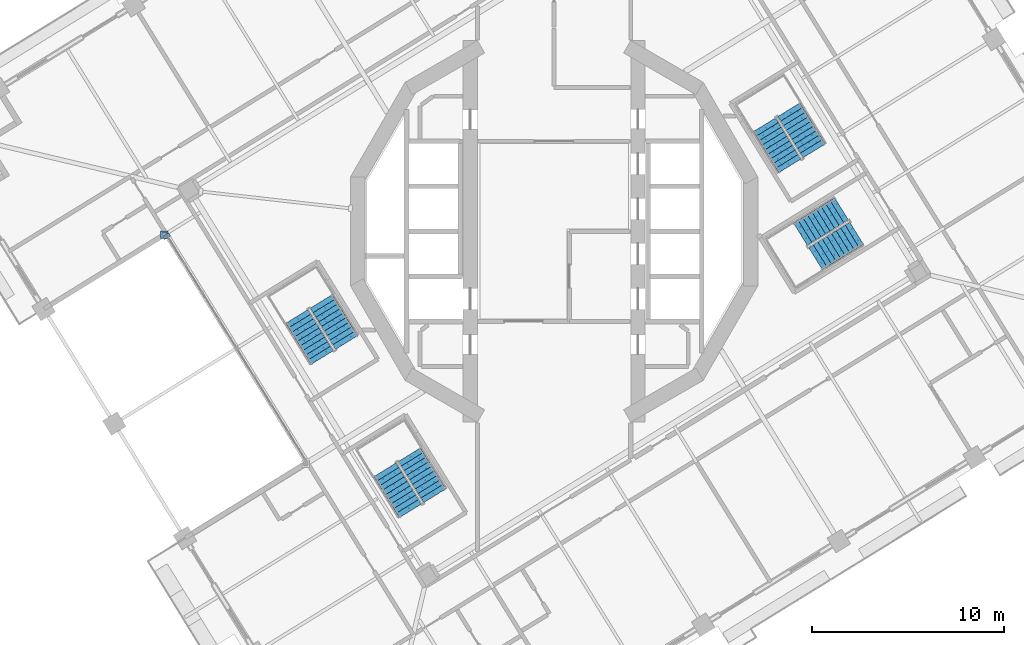
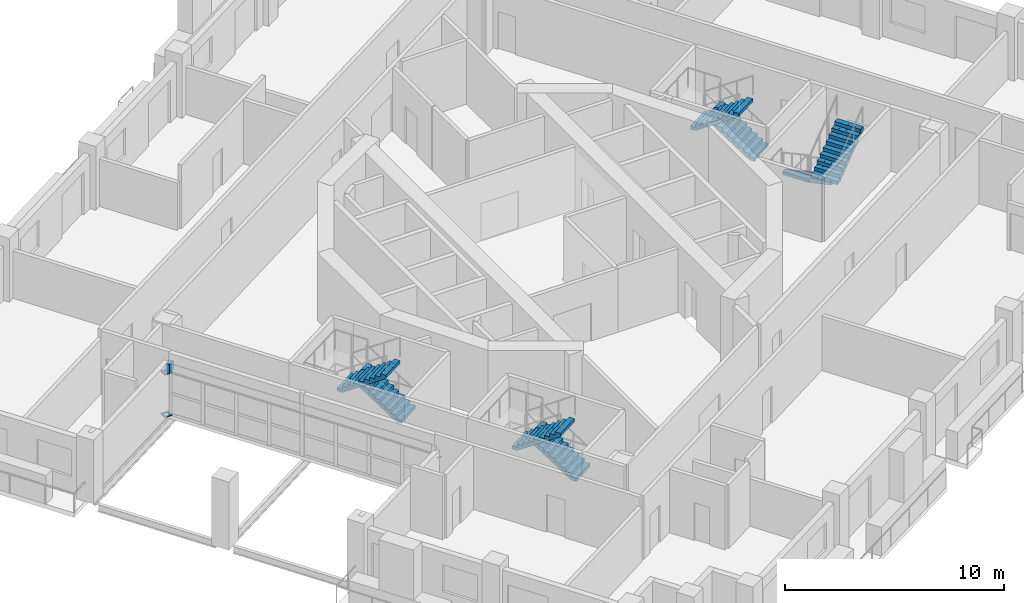
# One storey, part 11 of 20: 8 stair flights, 3 discrete accessories, 4 elements without a shape of their own.
"""IFC4 building model written with IfcOpenShell, lengths in metres."""

from ifc_helpers import new_model, si_unit, direction, frame, origin, place, context, subcontext, project, spatial, polyline, outline, extrude, material, layer, layer_set, type_object, element, aggregate, save


model = new_model("IFC4")

# Units and contexts
model_context = context("Model", 3, precision=1e-05, world=origin(), true_north=direction((0.0, 1.0)))
body_context = subcontext(model_context, "Body", "Model", "MODEL_VIEW")
ifc_project = project(units=[si_unit("LENGTHUNIT", "METRE"), si_unit("AREAUNIT", "SQUARE_METRE"), si_unit("VOLUMEUNIT", "CUBIC_METRE"), si_unit("PLANEANGLEUNIT", "RADIAN"), si_unit("MASSUNIT", "GRAM", prefix="KILO")], contexts=[model_context])

# Site, building, storey
site_placement = place(None, origin())
site = spatial("IfcSite", under=ifc_project, at=site_placement, CompositionType="ELEMENT")
building_placement = place(site_placement, origin())
building = spatial("IfcBuilding", under=site, at=building_placement, Name="Cantera Rosa Tower", CompositionType="ELEMENT")
storey_placement = place(building_placement, frame((0.0, 0.0, 151.39990234375)))
storey = spatial("IfcBuildingStorey", under=building, at=storey_placement, Name="L32", CompositionType="ELEMENT", Elevation=151.39990234375)

# Stair, stair flights
ifc_material_1 = material(Name="Concrete C35/45", Category="concrete")
stair_type = type_object("IfcStairType", Name="EXIT STAIR 1350 DOGLEG", PredefinedType="HALF_TURN_STAIR", material=ifc_material_1)
stair_1_placement = place(storey_placement, origin())
stair_1 = element("IfcStair", 1, at=stair_1_placement, inside=storey, type_object=stair_type, Name="L32 ST-31", PredefinedType="HALF_TURN_STAIR")
ifc_material_2 = material(Name="Concrete C35/45", Category="concrete")
stair_flight_type = type_object("IfcStairFlightType", Name="STAIR FLIGHT 1350 R20x190", PredefinedType="STRAIGHT", material=ifc_material_2)
stair_flight_1_placement = place(storey_placement, frame((13.5732421875, 4.2021484375, 0.0), z_axis=(0.0, 0.0, 1.0), x_axis=(-0.524976585286, 0.851116669383, 0.0)))
stair_flight_1 = element("IfcStairFlight", 2, at=stair_flight_1_placement, type_object=stair_flight_type, Name="ST-31 flight 1", NumberOfRisers=10, NumberOfTreads=9, PredefinedType="STRAIGHT", RiserHeight=0.19, TreadLength=0.28, context=body_context, shape_type="SweptSolid", body=[
    extrude(outline(polyline([(0.0, 0.0), (0.0, 0.18994140625), (0.280029296875, 0.18994140625), (0.280029296875, 0.3798828125), (0.56005859375, 0.3798828125), (0.56005859375, 0.570068359375), (0.840087890625, 0.570068359375), (0.840087890625, 0.760009765625), (1.1201171875, 0.760009765625), (1.1201171875, 0.949951171875), (1.39990234375, 0.949951171875), (1.39990234375, 1.139892578125), (1.679931640625, 1.139892578125), (1.679931640625, 1.330078125), (1.9599609375, 1.330078125), (1.9599609375, 1.52001953125), (2.239990234375, 1.52001953125), (2.239990234375, 1.7099609375), (2.52001953125, 1.7099609375), (2.52001953125, 1.89990234375), (2.52001953125, 1.52880859375), (0.266845703125, 0.0), (0.0, 0.0)])), frame((0.0, 0.675048828125, 0.0), z_axis=(0.0, -1.0, 0.0), x_axis=(1.0, 0.0, 0.0)), (0.0, 0.0, 1.0), 0.3359375),
    extrude(outline(polyline([(0.0, 0.0), (0.0, 0.18994140625), (0.280029296875, 0.18994140625), (0.280029296875, 0.3798828125), (0.56005859375, 0.3798828125), (0.56005859375, 0.570068359375), (0.840087890625, 0.570068359375), (0.840087890625, 0.760009765625), (1.1201171875, 0.760009765625), (1.1201171875, 0.949951171875), (1.39990234375, 0.949951171875), (1.39990234375, 1.139892578125), (1.679931640625, 1.139892578125), (1.679931640625, 1.330078125), (1.9599609375, 1.330078125), (1.9599609375, 1.52001953125), (2.239990234375, 1.52001953125), (2.239990234375, 1.7099609375), (2.52001953125, 1.7099609375), (2.52001953125, 1.89990234375), (2.52001953125, 1.52880859375), (0.266845703125, 0.0), (0.0, 0.0)])), frame((0.0, 0.337158203125, 0.0), z_axis=(0.0, -1.0, 0.0), x_axis=(1.0, 0.0, 0.0)), (0.0, 0.0, 1.0), 0.3359375),
    extrude(outline(polyline([(0.0, 0.0), (0.0, 0.18994140625), (0.280029296875, 0.18994140625), (0.280029296875, 0.3798828125), (0.56005859375, 0.3798828125), (0.56005859375, 0.570068359375), (0.840087890625, 0.570068359375), (0.840087890625, 0.760009765625), (1.1201171875, 0.760009765625), (1.1201171875, 0.949951171875), (1.39990234375, 0.949951171875), (1.39990234375, 1.139892578125), (1.679931640625, 1.139892578125), (1.679931640625, 1.330078125), (1.9599609375, 1.330078125), (1.9599609375, 1.52001953125), (2.239990234375, 1.52001953125), (2.239990234375, 1.7099609375), (2.52001953125, 1.7099609375), (2.52001953125, 1.89990234375), (2.52001953125, 1.52880859375), (0.266845703125, 0.0), (0.0, 0.0)])), frame((0.0, -0.000732421875, 0.0), z_axis=(0.0, -1.0, 0.0), x_axis=(1.0, 0.0, 0.0)), (0.0, 0.0, 1.0), 0.3359375),
    extrude(outline(polyline([(0.0, 0.0), (0.0, 0.18994140625), (0.280029296875, 0.18994140625), (0.280029296875, 0.3798828125), (0.56005859375, 0.3798828125), (0.56005859375, 0.570068359375), (0.840087890625, 0.570068359375), (0.840087890625, 0.760009765625), (1.1201171875, 0.760009765625), (1.1201171875, 0.949951171875), (1.39990234375, 0.949951171875), (1.39990234375, 1.139892578125), (1.679931640625, 1.139892578125), (1.679931640625, 1.330078125), (1.9599609375, 1.330078125), (1.9599609375, 1.52001953125), (2.239990234375, 1.52001953125), (2.239990234375, 1.7099609375), (2.52001953125, 1.7099609375), (2.52001953125, 1.89990234375), (2.52001953125, 1.52880859375), (0.266845703125, 0.0), (0.0, 0.0)])), frame((0.0, -0.338623046875, 0.0), z_axis=(0.0, -1.0, 0.0), x_axis=(1.0, 0.0, 0.0)), (0.0, 0.0, 1.0), 0.3359375),
])
stair_flight_2_placement = place(storey_placement, frame((10.9736328125, 5.5595703125, 1.900146484375), z_axis=(0.0, 0.0, 1.0), x_axis=(0.524976585286, -0.851116669383, 0.0)))
stair_flight_2 = element("IfcStairFlight", 3, at=stair_flight_2_placement, type_object=stair_flight_type, Name="ST-31 flight 2", NumberOfRisers=10, NumberOfTreads=9, PredefinedType="STRAIGHT", RiserHeight=0.19, TreadLength=0.28, context=body_context, shape_type="SweptSolid", body=[
    extrude(outline(polyline([(0.0, 0.0), (0.0, 0.18994140625), (0.280029296875, 0.18994140625), (0.280029296875, 0.3798828125), (0.56005859375, 0.3798828125), (0.56005859375, 0.570068359375), (0.840087890625, 0.570068359375), (0.840087890625, 0.760009765625), (1.1201171875, 0.760009765625), (1.1201171875, 0.949951171875), (1.39990234375, 0.949951171875), (1.39990234375, 1.139892578125), (1.679931640625, 1.139892578125), (1.679931640625, 1.330078125), (1.9599609375, 1.330078125), (1.9599609375, 1.52001953125), (2.239990234375, 1.52001953125), (2.239990234375, 1.7099609375), (2.52001953125, 1.7099609375), (2.52001953125, 1.89990234375), (2.52001953125, 1.52880859375), (0.266845703125, 0.0), (0.0, 0.0)])), frame((0.0, 0.675048828125, 0.0), z_axis=(0.0, -1.0, 0.0), x_axis=(1.0, 0.0, 0.0)), (0.0, 0.0, 1.0), 0.3359375),
    extrude(outline(polyline([(0.0, 0.0), (0.0, 0.18994140625), (0.280029296875, 0.18994140625), (0.280029296875, 0.3798828125), (0.56005859375, 0.3798828125), (0.56005859375, 0.570068359375), (0.840087890625, 0.570068359375), (0.840087890625, 0.760009765625), (1.1201171875, 0.760009765625), (1.1201171875, 0.949951171875), (1.39990234375, 0.949951171875), (1.39990234375, 1.139892578125), (1.679931640625, 1.139892578125), (1.679931640625, 1.330078125), (1.9599609375, 1.330078125), (1.9599609375, 1.52001953125), (2.239990234375, 1.52001953125), (2.239990234375, 1.7099609375), (2.52001953125, 1.7099609375), (2.52001953125, 1.89990234375), (2.52001953125, 1.52880859375), (0.266845703125, 0.0), (0.0, 0.0)])), frame((0.0, 0.337158203125, 0.0), z_axis=(0.0, -1.0, 0.0), x_axis=(1.0, 0.0, 0.0)), (0.0, 0.0, 1.0), 0.3359375),
    extrude(outline(polyline([(0.0, 0.0), (0.0, 0.18994140625), (0.280029296875, 0.18994140625), (0.280029296875, 0.3798828125), (0.56005859375, 0.3798828125), (0.56005859375, 0.570068359375), (0.840087890625, 0.570068359375), (0.840087890625, 0.760009765625), (1.1201171875, 0.760009765625), (1.1201171875, 0.949951171875), (1.39990234375, 0.949951171875), (1.39990234375, 1.139892578125), (1.679931640625, 1.139892578125), (1.679931640625, 1.330078125), (1.9599609375, 1.330078125), (1.9599609375, 1.52001953125), (2.239990234375, 1.52001953125), (2.239990234375, 1.7099609375), (2.52001953125, 1.7099609375), (2.52001953125, 1.89990234375), (2.52001953125, 1.52880859375), (0.266845703125, 0.0), (0.0, 0.0)])), frame((0.0, -0.000732421875, 0.0), z_axis=(0.0, -1.0, 0.0), x_axis=(1.0, 0.0, 0.0)), (0.0, 0.0, 1.0), 0.3359375),
    extrude(outline(polyline([(0.0, 0.0), (0.0, 0.18994140625), (0.280029296875, 0.18994140625), (0.280029296875, 0.3798828125), (0.56005859375, 0.3798828125), (0.56005859375, 0.570068359375), (0.840087890625, 0.570068359375), (0.840087890625, 0.760009765625), (1.1201171875, 0.760009765625), (1.1201171875, 0.949951171875), (1.39990234375, 0.949951171875), (1.39990234375, 1.139892578125), (1.679931640625, 1.139892578125), (1.679931640625, 1.330078125), (1.9599609375, 1.330078125), (1.9599609375, 1.52001953125), (2.239990234375, 1.52001953125), (2.239990234375, 1.7099609375), (2.52001953125, 1.7099609375), (2.52001953125, 1.89990234375), (2.52001953125, 1.52880859375), (0.266845703125, 0.0), (0.0, 0.0)])), frame((0.0, -0.338623046875, 0.0), z_axis=(0.0, -1.0, 0.0), x_axis=(1.0, 0.0, 0.0)), (0.0, 0.0, 1.0), 0.3359375),
])
aggregate(stair_1, [stair_flight_1, stair_flight_2])

stair_2_placement = place(storey_placement, origin())
stair_2 = element("IfcStair", 4, at=stair_2_placement, inside=storey, type_object=stair_type, Name="L32 ST-32", PredefinedType="HALF_TURN_STAIR")
stair_flight_3_placement = place(storey_placement, frame((-10.82666015625, -5.7978515625, 0.0), z_axis=(0.0, 0.0, 1.0), x_axis=(-0.524976585286, 0.851116669383, 0.0)))
stair_flight_3 = element("IfcStairFlight", 5, at=stair_flight_3_placement, type_object=stair_flight_type, Name="ST-32 flight 1", NumberOfRisers=10, NumberOfTreads=9, PredefinedType="STRAIGHT", RiserHeight=0.19, TreadLength=0.28, context=body_context, shape_type="SweptSolid", body=[
    extrude(outline(polyline([(0.0, 0.0), (0.0, 0.18994140625), (0.280029296875, 0.18994140625), (0.280029296875, 0.3798828125), (0.56005859375, 0.3798828125), (0.56005859375, 0.570068359375), (0.840087890625, 0.570068359375), (0.840087890625, 0.760009765625), (1.1201171875, 0.760009765625), (1.1201171875, 0.949951171875), (1.39990234375, 0.949951171875), (1.39990234375, 1.139892578125), (1.679931640625, 1.139892578125), (1.679931640625, 1.330078125), (1.9599609375, 1.330078125), (1.9599609375, 1.52001953125), (2.239990234375, 1.52001953125), (2.239990234375, 1.7099609375), (2.52001953125, 1.7099609375), (2.52001953125, 1.89990234375), (2.52001953125, 1.52880859375), (0.266845703125, 0.0), (0.0, 0.0)])), frame((0.0, 0.675048828125, 0.0), z_axis=(0.0, -1.0, 0.0), x_axis=(1.0, 0.0, 0.0)), (0.0, 0.0, 1.0), 0.3359375),
    extrude(outline(polyline([(0.0, 0.0), (0.0, 0.18994140625), (0.280029296875, 0.18994140625), (0.280029296875, 0.3798828125), (0.56005859375, 0.3798828125), (0.56005859375, 0.570068359375), (0.840087890625, 0.570068359375), (0.840087890625, 0.760009765625), (1.1201171875, 0.760009765625), (1.1201171875, 0.949951171875), (1.39990234375, 0.949951171875), (1.39990234375, 1.139892578125), (1.679931640625, 1.139892578125), (1.679931640625, 1.330078125), (1.9599609375, 1.330078125), (1.9599609375, 1.52001953125), (2.239990234375, 1.52001953125), (2.239990234375, 1.7099609375), (2.52001953125, 1.7099609375), (2.52001953125, 1.89990234375), (2.52001953125, 1.52880859375), (0.266845703125, 0.0), (0.0, 0.0)])), frame((0.0, 0.337158203125, 0.0), z_axis=(0.0, -1.0, 0.0), x_axis=(1.0, 0.0, 0.0)), (0.0, 0.0, 1.0), 0.3359375),
    extrude(outline(polyline([(0.0, 0.0), (0.0, 0.18994140625), (0.280029296875, 0.18994140625), (0.280029296875, 0.3798828125), (0.56005859375, 0.3798828125), (0.56005859375, 0.570068359375), (0.840087890625, 0.570068359375), (0.840087890625, 0.760009765625), (1.1201171875, 0.760009765625), (1.1201171875, 0.949951171875), (1.39990234375, 0.949951171875), (1.39990234375, 1.139892578125), (1.679931640625, 1.139892578125), (1.679931640625, 1.330078125), (1.9599609375, 1.330078125), (1.9599609375, 1.52001953125), (2.239990234375, 1.52001953125), (2.239990234375, 1.7099609375), (2.52001953125, 1.7099609375), (2.52001953125, 1.89990234375), (2.52001953125, 1.52880859375), (0.266845703125, 0.0), (0.0, 0.0)])), frame((0.0, -0.000732421875, 0.0), z_axis=(0.0, -1.0, 0.0), x_axis=(1.0, 0.0, 0.0)), (0.0, 0.0, 1.0), 0.3359375),
    extrude(outline(polyline([(0.0, 0.0), (0.0, 0.18994140625), (0.280029296875, 0.18994140625), (0.280029296875, 0.3798828125), (0.56005859375, 0.3798828125), (0.56005859375, 0.570068359375), (0.840087890625, 0.570068359375), (0.840087890625, 0.760009765625), (1.1201171875, 0.760009765625), (1.1201171875, 0.949951171875), (1.39990234375, 0.949951171875), (1.39990234375, 1.139892578125), (1.679931640625, 1.139892578125), (1.679931640625, 1.330078125), (1.9599609375, 1.330078125), (1.9599609375, 1.52001953125), (2.239990234375, 1.52001953125), (2.239990234375, 1.7099609375), (2.52001953125, 1.7099609375), (2.52001953125, 1.89990234375), (2.52001953125, 1.52880859375), (0.266845703125, 0.0), (0.0, 0.0)])), frame((0.0, -0.338623046875, 0.0), z_axis=(0.0, -1.0, 0.0), x_axis=(1.0, 0.0, 0.0)), (0.0, 0.0, 1.0), 0.3359375),
])
stair_flight_4_placement = place(storey_placement, frame((-13.42626953125, -4.4404296875, 1.900146484375), z_axis=(0.0, 0.0, 1.0), x_axis=(0.524976585286, -0.851116669383, 0.0)))
stair_flight_4 = element("IfcStairFlight", 6, at=stair_flight_4_placement, type_object=stair_flight_type, Name="ST-32 flight 2", NumberOfRisers=10, NumberOfTreads=9, PredefinedType="STRAIGHT", RiserHeight=0.19, TreadLength=0.28, context=body_context, shape_type="SweptSolid", body=[
    extrude(outline(polyline([(0.0, 0.0), (0.0, 0.18994140625), (0.280029296875, 0.18994140625), (0.280029296875, 0.3798828125), (0.56005859375, 0.3798828125), (0.56005859375, 0.570068359375), (0.840087890625, 0.570068359375), (0.840087890625, 0.760009765625), (1.1201171875, 0.760009765625), (1.1201171875, 0.949951171875), (1.39990234375, 0.949951171875), (1.39990234375, 1.139892578125), (1.679931640625, 1.139892578125), (1.679931640625, 1.330078125), (1.9599609375, 1.330078125), (1.9599609375, 1.52001953125), (2.239990234375, 1.52001953125), (2.239990234375, 1.7099609375), (2.52001953125, 1.7099609375), (2.52001953125, 1.89990234375), (2.52001953125, 1.52880859375), (0.266845703125, 0.0), (0.0, 0.0)])), frame((0.0, 0.675048828125, 0.0), z_axis=(0.0, -1.0, 0.0), x_axis=(1.0, 0.0, 0.0)), (0.0, 0.0, 1.0), 0.3359375),
    extrude(outline(polyline([(0.0, 0.0), (0.0, 0.18994140625), (0.280029296875, 0.18994140625), (0.280029296875, 0.3798828125), (0.56005859375, 0.3798828125), (0.56005859375, 0.570068359375), (0.840087890625, 0.570068359375), (0.840087890625, 0.760009765625), (1.1201171875, 0.760009765625), (1.1201171875, 0.949951171875), (1.39990234375, 0.949951171875), (1.39990234375, 1.139892578125), (1.679931640625, 1.139892578125), (1.679931640625, 1.330078125), (1.9599609375, 1.330078125), (1.9599609375, 1.52001953125), (2.239990234375, 1.52001953125), (2.239990234375, 1.7099609375), (2.52001953125, 1.7099609375), (2.52001953125, 1.89990234375), (2.52001953125, 1.52880859375), (0.266845703125, 0.0), (0.0, 0.0)])), frame((0.0, 0.337158203125, 0.0), z_axis=(0.0, -1.0, 0.0), x_axis=(1.0, 0.0, 0.0)), (0.0, 0.0, 1.0), 0.3359375),
    extrude(outline(polyline([(0.0, 0.0), (0.0, 0.18994140625), (0.280029296875, 0.18994140625), (0.280029296875, 0.3798828125), (0.56005859375, 0.3798828125), (0.56005859375, 0.570068359375), (0.840087890625, 0.570068359375), (0.840087890625, 0.760009765625), (1.1201171875, 0.760009765625), (1.1201171875, 0.949951171875), (1.39990234375, 0.949951171875), (1.39990234375, 1.139892578125), (1.679931640625, 1.139892578125), (1.679931640625, 1.330078125), (1.9599609375, 1.330078125), (1.9599609375, 1.52001953125), (2.239990234375, 1.52001953125), (2.239990234375, 1.7099609375), (2.52001953125, 1.7099609375), (2.52001953125, 1.89990234375), (2.52001953125, 1.52880859375), (0.266845703125, 0.0), (0.0, 0.0)])), frame((0.0, -0.000732421875, 0.0), z_axis=(0.0, -1.0, 0.0), x_axis=(1.0, 0.0, 0.0)), (0.0, 0.0, 1.0), 0.3359375),
    extrude(outline(polyline([(0.0, 0.0), (0.0, 0.18994140625), (0.280029296875, 0.18994140625), (0.280029296875, 0.3798828125), (0.56005859375, 0.3798828125), (0.56005859375, 0.570068359375), (0.840087890625, 0.570068359375), (0.840087890625, 0.760009765625), (1.1201171875, 0.760009765625), (1.1201171875, 0.949951171875), (1.39990234375, 0.949951171875), (1.39990234375, 1.139892578125), (1.679931640625, 1.139892578125), (1.679931640625, 1.330078125), (1.9599609375, 1.330078125), (1.9599609375, 1.52001953125), (2.239990234375, 1.52001953125), (2.239990234375, 1.7099609375), (2.52001953125, 1.7099609375), (2.52001953125, 1.89990234375), (2.52001953125, 1.52880859375), (0.266845703125, 0.0), (0.0, 0.0)])), frame((0.0, -0.338623046875, 0.0), z_axis=(0.0, -1.0, 0.0), x_axis=(1.0, 0.0, 0.0)), (0.0, 0.0, 1.0), 0.3359375),
])
aggregate(stair_2, [stair_flight_3, stair_flight_4])

stair_3_placement = place(storey_placement, origin())
stair_3 = element("IfcStair", 7, at=stair_3_placement, inside=storey, type_object=stair_type, Name="L32 ST-33", PredefinedType="HALF_TURN_STAIR")
stair_flight_5_placement = place(storey_placement, frame((-6.226806640625, -13.7978515625, 0.0), z_axis=(0.0, 0.0, 1.0), x_axis=(-0.524976585286, 0.851116669383, 0.0)))
stair_flight_5 = element("IfcStairFlight", 8, at=stair_flight_5_placement, type_object=stair_flight_type, Name="ST-33 flight 1", NumberOfRisers=10, NumberOfTreads=9, PredefinedType="STRAIGHT", RiserHeight=0.19, TreadLength=0.28, context=body_context, shape_type="SweptSolid", body=[
    extrude(outline(polyline([(0.0, 0.0), (0.0, 0.18994140625), (0.280029296875, 0.18994140625), (0.280029296875, 0.3798828125), (0.56005859375, 0.3798828125), (0.56005859375, 0.570068359375), (0.840087890625, 0.570068359375), (0.840087890625, 0.760009765625), (1.1201171875, 0.760009765625), (1.1201171875, 0.949951171875), (1.39990234375, 0.949951171875), (1.39990234375, 1.139892578125), (1.679931640625, 1.139892578125), (1.679931640625, 1.330078125), (1.9599609375, 1.330078125), (1.9599609375, 1.52001953125), (2.239990234375, 1.52001953125), (2.239990234375, 1.7099609375), (2.52001953125, 1.7099609375), (2.52001953125, 1.89990234375), (2.52001953125, 1.52880859375), (0.266845703125, 0.0), (0.0, 0.0)])), frame((0.0, 0.675048828125, 0.0), z_axis=(0.0, -1.0, 0.0), x_axis=(1.0, 0.0, 0.0)), (0.0, 0.0, 1.0), 0.3359375),
    extrude(outline(polyline([(0.0, 0.0), (0.0, 0.18994140625), (0.280029296875, 0.18994140625), (0.280029296875, 0.3798828125), (0.56005859375, 0.3798828125), (0.56005859375, 0.570068359375), (0.840087890625, 0.570068359375), (0.840087890625, 0.760009765625), (1.1201171875, 0.760009765625), (1.1201171875, 0.949951171875), (1.39990234375, 0.949951171875), (1.39990234375, 1.139892578125), (1.679931640625, 1.139892578125), (1.679931640625, 1.330078125), (1.9599609375, 1.330078125), (1.9599609375, 1.52001953125), (2.239990234375, 1.52001953125), (2.239990234375, 1.7099609375), (2.52001953125, 1.7099609375), (2.52001953125, 1.89990234375), (2.52001953125, 1.52880859375), (0.266845703125, 0.0), (0.0, 0.0)])), frame((0.0, 0.337158203125, 0.0), z_axis=(0.0, -1.0, 0.0), x_axis=(1.0, 0.0, 0.0)), (0.0, 0.0, 1.0), 0.3359375),
    extrude(outline(polyline([(0.0, 0.0), (0.0, 0.18994140625), (0.280029296875, 0.18994140625), (0.280029296875, 0.3798828125), (0.56005859375, 0.3798828125), (0.56005859375, 0.570068359375), (0.840087890625, 0.570068359375), (0.840087890625, 0.760009765625), (1.1201171875, 0.760009765625), (1.1201171875, 0.949951171875), (1.39990234375, 0.949951171875), (1.39990234375, 1.139892578125), (1.679931640625, 1.139892578125), (1.679931640625, 1.330078125), (1.9599609375, 1.330078125), (1.9599609375, 1.52001953125), (2.239990234375, 1.52001953125), (2.239990234375, 1.7099609375), (2.52001953125, 1.7099609375), (2.52001953125, 1.89990234375), (2.52001953125, 1.52880859375), (0.266845703125, 0.0), (0.0, 0.0)])), frame((0.0, -0.000732421875, 0.0), z_axis=(0.0, -1.0, 0.0), x_axis=(1.0, 0.0, 0.0)), (0.0, 0.0, 1.0), 0.3359375),
    extrude(outline(polyline([(0.0, 0.0), (0.0, 0.18994140625), (0.280029296875, 0.18994140625), (0.280029296875, 0.3798828125), (0.56005859375, 0.3798828125), (0.56005859375, 0.570068359375), (0.840087890625, 0.570068359375), (0.840087890625, 0.760009765625), (1.1201171875, 0.760009765625), (1.1201171875, 0.949951171875), (1.39990234375, 0.949951171875), (1.39990234375, 1.139892578125), (1.679931640625, 1.139892578125), (1.679931640625, 1.330078125), (1.9599609375, 1.330078125), (1.9599609375, 1.52001953125), (2.239990234375, 1.52001953125), (2.239990234375, 1.7099609375), (2.52001953125, 1.7099609375), (2.52001953125, 1.89990234375), (2.52001953125, 1.52880859375), (0.266845703125, 0.0), (0.0, 0.0)])), frame((0.0, -0.338623046875, 0.0), z_axis=(0.0, -1.0, 0.0), x_axis=(1.0, 0.0, 0.0)), (0.0, 0.0, 1.0), 0.3359375),
])
stair_flight_6_placement = place(storey_placement, frame((-8.826416015625, -12.4404296875, 1.900146484375), z_axis=(0.0, 0.0, 1.0), x_axis=(0.524976585286, -0.851116669383, 0.0)))
stair_flight_6 = element("IfcStairFlight", 9, at=stair_flight_6_placement, type_object=stair_flight_type, Name="ST-33 flight 2", NumberOfRisers=10, NumberOfTreads=9, PredefinedType="STRAIGHT", RiserHeight=0.19, TreadLength=0.28, context=body_context, shape_type="SweptSolid", body=[
    extrude(outline(polyline([(0.0, 0.0), (0.0, 0.18994140625), (0.280029296875, 0.18994140625), (0.280029296875, 0.3798828125), (0.56005859375, 0.3798828125), (0.56005859375, 0.570068359375), (0.840087890625, 0.570068359375), (0.840087890625, 0.760009765625), (1.1201171875, 0.760009765625), (1.1201171875, 0.949951171875), (1.39990234375, 0.949951171875), (1.39990234375, 1.139892578125), (1.679931640625, 1.139892578125), (1.679931640625, 1.330078125), (1.9599609375, 1.330078125), (1.9599609375, 1.52001953125), (2.239990234375, 1.52001953125), (2.239990234375, 1.7099609375), (2.52001953125, 1.7099609375), (2.52001953125, 1.89990234375), (2.52001953125, 1.52880859375), (0.266845703125, 0.0), (0.0, 0.0)])), frame((0.0, 0.675048828125, 0.0), z_axis=(0.0, -1.0, 0.0), x_axis=(1.0, 0.0, 0.0)), (0.0, 0.0, 1.0), 0.3359375),
    extrude(outline(polyline([(0.0, 0.0), (0.0, 0.18994140625), (0.280029296875, 0.18994140625), (0.280029296875, 0.3798828125), (0.56005859375, 0.3798828125), (0.56005859375, 0.570068359375), (0.840087890625, 0.570068359375), (0.840087890625, 0.760009765625), (1.1201171875, 0.760009765625), (1.1201171875, 0.949951171875), (1.39990234375, 0.949951171875), (1.39990234375, 1.139892578125), (1.679931640625, 1.139892578125), (1.679931640625, 1.330078125), (1.9599609375, 1.330078125), (1.9599609375, 1.52001953125), (2.239990234375, 1.52001953125), (2.239990234375, 1.7099609375), (2.52001953125, 1.7099609375), (2.52001953125, 1.89990234375), (2.52001953125, 1.52880859375), (0.266845703125, 0.0), (0.0, 0.0)])), frame((0.0, 0.337158203125, 0.0), z_axis=(0.0, -1.0, 0.0), x_axis=(1.0, 0.0, 0.0)), (0.0, 0.0, 1.0), 0.3359375),
    extrude(outline(polyline([(0.0, 0.0), (0.0, 0.18994140625), (0.280029296875, 0.18994140625), (0.280029296875, 0.3798828125), (0.56005859375, 0.3798828125), (0.56005859375, 0.570068359375), (0.840087890625, 0.570068359375), (0.840087890625, 0.760009765625), (1.1201171875, 0.760009765625), (1.1201171875, 0.949951171875), (1.39990234375, 0.949951171875), (1.39990234375, 1.139892578125), (1.679931640625, 1.139892578125), (1.679931640625, 1.330078125), (1.9599609375, 1.330078125), (1.9599609375, 1.52001953125), (2.239990234375, 1.52001953125), (2.239990234375, 1.7099609375), (2.52001953125, 1.7099609375), (2.52001953125, 1.89990234375), (2.52001953125, 1.52880859375), (0.266845703125, 0.0), (0.0, 0.0)])), frame((0.0, -0.000732421875, 0.0), z_axis=(0.0, -1.0, 0.0), x_axis=(1.0, 0.0, 0.0)), (0.0, 0.0, 1.0), 0.3359375),
    extrude(outline(polyline([(0.0, 0.0), (0.0, 0.18994140625), (0.280029296875, 0.18994140625), (0.280029296875, 0.3798828125), (0.56005859375, 0.3798828125), (0.56005859375, 0.570068359375), (0.840087890625, 0.570068359375), (0.840087890625, 0.760009765625), (1.1201171875, 0.760009765625), (1.1201171875, 0.949951171875), (1.39990234375, 0.949951171875), (1.39990234375, 1.139892578125), (1.679931640625, 1.139892578125), (1.679931640625, 1.330078125), (1.9599609375, 1.330078125), (1.9599609375, 1.52001953125), (2.239990234375, 1.52001953125), (2.239990234375, 1.7099609375), (2.52001953125, 1.7099609375), (2.52001953125, 1.89990234375), (2.52001953125, 1.52880859375), (0.266845703125, 0.0), (0.0, 0.0)])), frame((0.0, -0.338623046875, 0.0), z_axis=(0.0, -1.0, 0.0), x_axis=(1.0, 0.0, 0.0)), (0.0, 0.0, 1.0), 0.3359375),
])
aggregate(stair_3, [stair_flight_5, stair_flight_6])

stair_4_placement = place(storey_placement, origin())
stair_4 = element("IfcStair", 10, at=stair_4_placement, inside=storey, type_object=stair_type, Name="L32 ST-34", PredefinedType="HALF_TURN_STAIR")
stair_flight_7_placement = place(storey_placement, frame((14.997802734375, 1.17333984375, 0.0), z_axis=(0.0, 0.0, 1.0), x_axis=(-0.851116669383, -0.524976585286, 0.0)))
stair_flight_7 = element("IfcStairFlight", 11, at=stair_flight_7_placement, type_object=stair_flight_type, Name="ST-34 flight 1", NumberOfRisers=10, NumberOfTreads=9, PredefinedType="STRAIGHT", RiserHeight=0.19, TreadLength=0.28, context=body_context, shape_type="SweptSolid", body=[
    extrude(outline(polyline([(0.0, 0.0), (0.0, 0.18994140625), (0.280029296875, 0.18994140625), (0.280029296875, 0.3798828125), (0.56005859375, 0.3798828125), (0.56005859375, 0.570068359375), (0.840087890625, 0.570068359375), (0.840087890625, 0.760009765625), (1.1201171875, 0.760009765625), (1.1201171875, 0.949951171875), (1.39990234375, 0.949951171875), (1.39990234375, 1.139892578125), (1.679931640625, 1.139892578125), (1.679931640625, 1.330078125), (1.9599609375, 1.330078125), (1.9599609375, 1.52001953125), (2.239990234375, 1.52001953125), (2.239990234375, 1.7099609375), (2.52001953125, 1.7099609375), (2.52001953125, 1.89990234375), (2.52001953125, 1.52880859375), (0.266845703125, 0.0), (0.0, 0.0)])), frame((0.0, 0.675048828125, 0.0), z_axis=(0.0, -1.0, 0.0), x_axis=(1.0, 0.0, 0.0)), (0.0, 0.0, 1.0), 0.3359375),
    extrude(outline(polyline([(0.0, 0.0), (0.0, 0.18994140625), (0.280029296875, 0.18994140625), (0.280029296875, 0.3798828125), (0.56005859375, 0.3798828125), (0.56005859375, 0.570068359375), (0.840087890625, 0.570068359375), (0.840087890625, 0.760009765625), (1.1201171875, 0.760009765625), (1.1201171875, 0.949951171875), (1.39990234375, 0.949951171875), (1.39990234375, 1.139892578125), (1.679931640625, 1.139892578125), (1.679931640625, 1.330078125), (1.9599609375, 1.330078125), (1.9599609375, 1.52001953125), (2.239990234375, 1.52001953125), (2.239990234375, 1.7099609375), (2.52001953125, 1.7099609375), (2.52001953125, 1.89990234375), (2.52001953125, 1.52880859375), (0.266845703125, 0.0), (0.0, 0.0)])), frame((0.0, 0.337158203125, 0.0), z_axis=(0.0, -1.0, 0.0), x_axis=(1.0, 0.0, 0.0)), (0.0, 0.0, 1.0), 0.3359375),
    extrude(outline(polyline([(0.0, 0.0), (0.0, 0.18994140625), (0.280029296875, 0.18994140625), (0.280029296875, 0.3798828125), (0.56005859375, 0.3798828125), (0.56005859375, 0.570068359375), (0.840087890625, 0.570068359375), (0.840087890625, 0.760009765625), (1.1201171875, 0.760009765625), (1.1201171875, 0.949951171875), (1.39990234375, 0.949951171875), (1.39990234375, 1.139892578125), (1.679931640625, 1.139892578125), (1.679931640625, 1.330078125), (1.9599609375, 1.330078125), (1.9599609375, 1.52001953125), (2.239990234375, 1.52001953125), (2.239990234375, 1.7099609375), (2.52001953125, 1.7099609375), (2.52001953125, 1.89990234375), (2.52001953125, 1.52880859375), (0.266845703125, 0.0), (0.0, 0.0)])), frame((0.0, -0.000732421875, 0.0), z_axis=(0.0, -1.0, 0.0), x_axis=(1.0, 0.0, 0.0)), (0.0, 0.0, 1.0), 0.3359375),
    extrude(outline(polyline([(0.0, 0.0), (0.0, 0.18994140625), (0.280029296875, 0.18994140625), (0.280029296875, 0.3798828125), (0.56005859375, 0.3798828125), (0.56005859375, 0.570068359375), (0.840087890625, 0.570068359375), (0.840087890625, 0.760009765625), (1.1201171875, 0.760009765625), (1.1201171875, 0.949951171875), (1.39990234375, 0.949951171875), (1.39990234375, 1.139892578125), (1.679931640625, 1.139892578125), (1.679931640625, 1.330078125), (1.9599609375, 1.330078125), (1.9599609375, 1.52001953125), (2.239990234375, 1.52001953125), (2.239990234375, 1.7099609375), (2.52001953125, 1.7099609375), (2.52001953125, 1.89990234375), (2.52001953125, 1.52880859375), (0.266845703125, 0.0), (0.0, 0.0)])), frame((0.0, -0.338623046875, 0.0), z_axis=(0.0, -1.0, 0.0), x_axis=(1.0, 0.0, 0.0)), (0.0, 0.0, 1.0), 0.3359375),
])
stair_flight_8_placement = place(storey_placement, frame((13.640380859375, -1.42626953125, 1.900146484375), z_axis=(0.0, 0.0, 1.0), x_axis=(0.851116669383, 0.524976585286, 0.0)))
stair_flight_8 = element("IfcStairFlight", 12, at=stair_flight_8_placement, type_object=stair_flight_type, Name="ST-34 flight 2", NumberOfRisers=10, NumberOfTreads=9, PredefinedType="STRAIGHT", RiserHeight=0.19, TreadLength=0.28, context=body_context, shape_type="SweptSolid", body=[
    extrude(outline(polyline([(0.0, 0.0), (0.0, 0.18994140625), (0.280029296875, 0.18994140625), (0.280029296875, 0.3798828125), (0.56005859375, 0.3798828125), (0.56005859375, 0.570068359375), (0.840087890625, 0.570068359375), (0.840087890625, 0.760009765625), (1.1201171875, 0.760009765625), (1.1201171875, 0.949951171875), (1.39990234375, 0.949951171875), (1.39990234375, 1.139892578125), (1.679931640625, 1.139892578125), (1.679931640625, 1.330078125), (1.9599609375, 1.330078125), (1.9599609375, 1.52001953125), (2.239990234375, 1.52001953125), (2.239990234375, 1.7099609375), (2.52001953125, 1.7099609375), (2.52001953125, 1.89990234375), (2.52001953125, 1.52880859375), (0.266845703125, 0.0), (0.0, 0.0)])), frame((0.0, 0.675048828125, 0.0), z_axis=(0.0, -1.0, 0.0), x_axis=(1.0, 0.0, 0.0)), (0.0, 0.0, 1.0), 0.3359375),
    extrude(outline(polyline([(0.0, 0.0), (0.0, 0.18994140625), (0.280029296875, 0.18994140625), (0.280029296875, 0.3798828125), (0.56005859375, 0.3798828125), (0.56005859375, 0.570068359375), (0.840087890625, 0.570068359375), (0.840087890625, 0.760009765625), (1.1201171875, 0.760009765625), (1.1201171875, 0.949951171875), (1.39990234375, 0.949951171875), (1.39990234375, 1.139892578125), (1.679931640625, 1.139892578125), (1.679931640625, 1.330078125), (1.9599609375, 1.330078125), (1.9599609375, 1.52001953125), (2.239990234375, 1.52001953125), (2.239990234375, 1.7099609375), (2.52001953125, 1.7099609375), (2.52001953125, 1.89990234375), (2.52001953125, 1.52880859375), (0.266845703125, 0.0), (0.0, 0.0)])), frame((0.0, 0.337158203125, 0.0), z_axis=(0.0, -1.0, 0.0), x_axis=(1.0, 0.0, 0.0)), (0.0, 0.0, 1.0), 0.3359375),
    extrude(outline(polyline([(0.0, 0.0), (0.0, 0.18994140625), (0.280029296875, 0.18994140625), (0.280029296875, 0.3798828125), (0.56005859375, 0.3798828125), (0.56005859375, 0.570068359375), (0.840087890625, 0.570068359375), (0.840087890625, 0.760009765625), (1.1201171875, 0.760009765625), (1.1201171875, 0.949951171875), (1.39990234375, 0.949951171875), (1.39990234375, 1.139892578125), (1.679931640625, 1.139892578125), (1.679931640625, 1.330078125), (1.9599609375, 1.330078125), (1.9599609375, 1.52001953125), (2.239990234375, 1.52001953125), (2.239990234375, 1.7099609375), (2.52001953125, 1.7099609375), (2.52001953125, 1.89990234375), (2.52001953125, 1.52880859375), (0.266845703125, 0.0), (0.0, 0.0)])), frame((0.0, -0.000732421875, 0.0), z_axis=(0.0, -1.0, 0.0), x_axis=(1.0, 0.0, 0.0)), (0.0, 0.0, 1.0), 0.3359375),
    extrude(outline(polyline([(0.0, 0.0), (0.0, 0.18994140625), (0.280029296875, 0.18994140625), (0.280029296875, 0.3798828125), (0.56005859375, 0.3798828125), (0.56005859375, 0.570068359375), (0.840087890625, 0.570068359375), (0.840087890625, 0.760009765625), (1.1201171875, 0.760009765625), (1.1201171875, 0.949951171875), (1.39990234375, 0.949951171875), (1.39990234375, 1.139892578125), (1.679931640625, 1.139892578125), (1.679931640625, 1.330078125), (1.9599609375, 1.330078125), (1.9599609375, 1.52001953125), (2.239990234375, 1.52001953125), (2.239990234375, 1.7099609375), (2.52001953125, 1.7099609375), (2.52001953125, 1.89990234375), (2.52001953125, 1.52880859375), (0.266845703125, 0.0), (0.0, 0.0)])), frame((0.0, -0.338623046875, 0.0), z_axis=(0.0, -1.0, 0.0), x_axis=(1.0, 0.0, 0.0)), (0.0, 0.0, 1.0), 0.3359375),
])
aggregate(stair_4, [stair_flight_7, stair_flight_8])

# Discrete accessories
ifc_material_3 = material(Name="Steel ASTM A992 (Fy 345 MPa)", Category="steel")
ifc_layer = layer(ifc_material_3, 0.0400390625)
ifc_layer_set = layer_set([ifc_layer], Name="STEEL BEARING PLATE 40")
discrete_accessory_type = type_object("IfcDiscreteAccessoryType", Name="STEEL BEARING PLATE 40", PredefinedType="ANCHORPLATE", material=ifc_layer_set)
for number, where, name in (
    (13, (0.0, 0.0, 0.0), "POST PLATE L32-1F"),
    (14, (0.0, 0.0, 2.3740234375), "POST PLATE L32-1T"),
):
    element("IfcDiscreteAccessory", number, at=place(storey_placement, frame(where)), inside=storey, type_object=discrete_accessory_type, Name=name, PredefinedType="ANCHORPLATE", context=body_context, shape_type="SweptSolid", body=[
        extrude(outline(polyline([(-20.537353515625, -0.372314453125), (-20.137451171875, -0.372314453125), (-20.137451171875, 0.027587890625), (-20.537353515625, 0.027587890625), (-20.537353515625, -0.372314453125)]), holes=[polyline([(-20.4375, -0.272216796875), (-20.2373046875, -0.272216796875), (-20.2373046875, -0.072265625), (-20.4375, -0.072265625), (-20.4375, -0.272216796875)])]), origin(), (0.0, 0.0, 1.0), 0.0400390625),
    ])
discrete_accessory_placement = place(storey_placement, frame((0.0, 0.0, 2.4140625)))
element("IfcDiscreteAccessory", 15, at=discrete_accessory_placement, inside=storey, type_object=discrete_accessory_type, Name="LINTEL PLATE L32-1", PredefinedType="ANCHORPLATE", context=body_context, shape_type="SweptSolid", body=[
    extrude(outline(polyline([(-20.02099609375, -0.241455078125), (-20.1259765625, -0.0712890625), (-20.4375, -0.263427734375), (-20.33251953125, -0.43359375), (-20.02099609375, -0.241455078125)])), origin(), (0.0, 0.0, 1.0), 0.528076171875),
])

save(model, "model.ifc")
